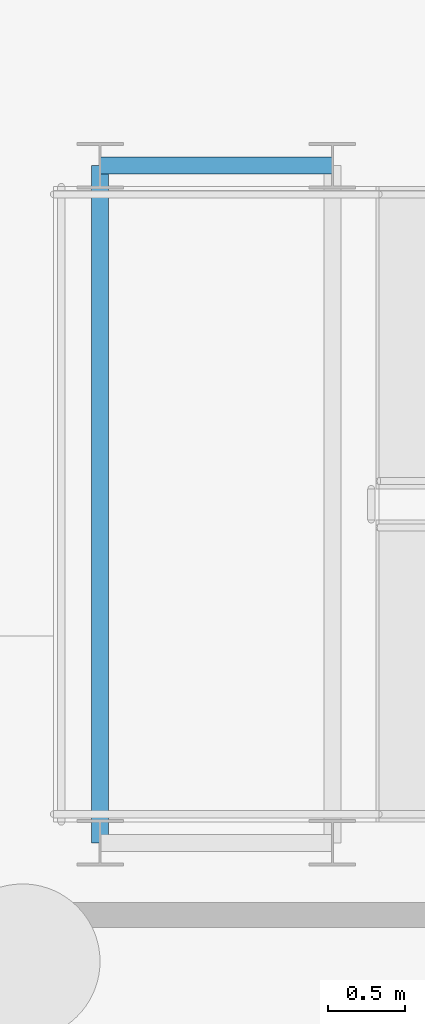
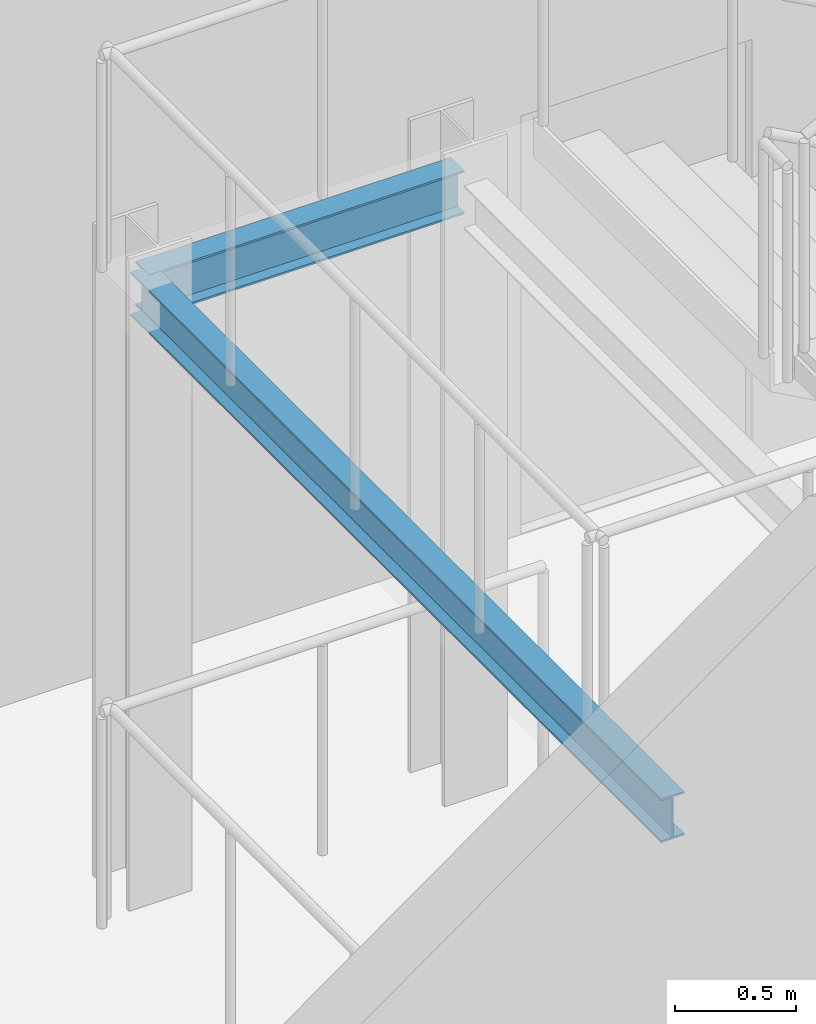
# One storey, part 52 of 115: 2 beams.
"""IFC4 building model written with IfcOpenShell, lengths in metres."""

from ifc_helpers import new_model, si_unit, direction, frame, origin, origin_2d, place, context, subcontext, project, spatial, i_section, extrude, material, material_profile, profile_set, type_object, element, save


model = new_model("IFC4")

# Units and contexts
model_context = context("Model", 3, precision=1e-05, world=origin(), true_north=direction((0.0, 1.0)))
body_context = subcontext(model_context, "Body", "Model", "MODEL_VIEW")
ifc_project = project(units=[si_unit("LENGTHUNIT", "METRE"), si_unit("AREAUNIT", "SQUARE_METRE"), si_unit("VOLUMEUNIT", "CUBIC_METRE"), si_unit("PLANEANGLEUNIT", "RADIAN"), si_unit("MASSUNIT", "GRAM", prefix="KILO")], contexts=[model_context])

# Site, building, storey
site_placement = place(None, origin())
site = spatial("IfcSite", under=ifc_project, at=site_placement, CompositionType="ELEMENT")
building_placement = place(site_placement, origin())
building = spatial("IfcBuilding", under=site, at=building_placement, Name="Tamarisk Ironworks Central Station", CompositionType="ELEMENT")
storey_placement = place(building_placement, origin())
storey = spatial("IfcBuildingStorey", under=building, at=storey_placement, Name="L00", CompositionType="ELEMENT", Elevation=0.0)

# Beams
ifc_material = material(Name="Structural steel S355J2", Category="steel")
ifc_material_profile = material_profile(ifc_material, i_section(OverallWidth=0.110107421875, OverallDepth=0.219970703125, WebThickness=0.005859375, FlangeThickness=0.00927734375, at=origin_2d()), Name="IPE 220")
ifc_profile_set = profile_set([ifc_material_profile], Name="Structural steel S355J2")
beam_type = type_object("IfcBeamType", Name="BM-J02", PredefinedType="JOIST", material=ifc_profile_set)
beam_1_placement = place(storey_placement, frame((61.699951171875, 84.3349609375, 2.97998046875), z_axis=(1.0, 0.0, 0.0), x_axis=(0.0, 1.0, 0.0)))
element("IfcBeam", 1, at=beam_1_placement, inside=storey, type_object=beam_type, Name="ST-TH1 landing frame beam Z1-2", PredefinedType="JOIST", context=body_context, shape_type="SweptSolid", body=[
    extrude(i_section(OverallWidth=0.110107421875, OverallDepth=0.219970703125, WebThickness=0.005859375, FlangeThickness=0.00927734375, at=origin_2d()), origin(), (0.0, 0.0, 1.0), 1.5),
])
beam_2_placement = place(storey_placement, frame((61.699951171875, 79.965087890625, 2.97998046875), z_axis=(0.0, 1.0, 0.0), x_axis=(-1.0, 0.0, 0.0)))
element("IfcBeam", 2, at=beam_2_placement, inside=storey, type_object=beam_type, Name="ST-TH1 landing frame beam Z1-3", PredefinedType="JOIST", context=body_context, shape_type="SweptSolid", body=[
    extrude(i_section(OverallWidth=0.110107421875, OverallDepth=0.219970703125, WebThickness=0.005859375, FlangeThickness=0.00927734375, at=origin_2d()), origin(), (0.0, 0.0, 1.0), 4.369873046875),
])

save(model, "model.ifc")
